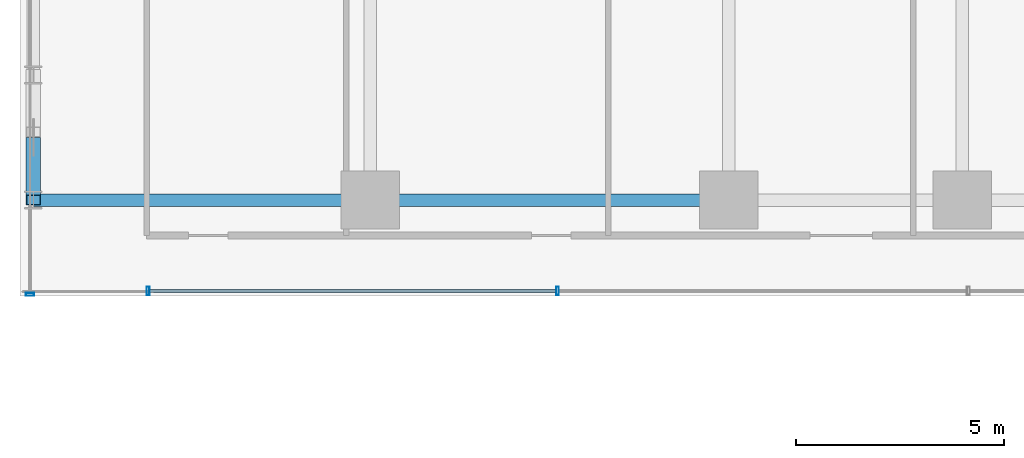
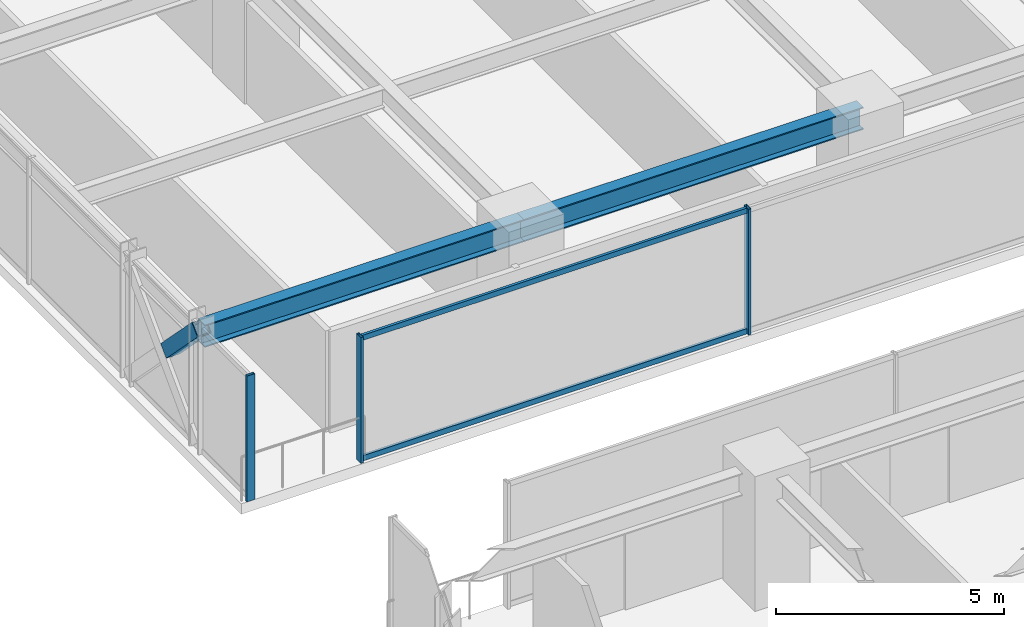
# One storey, part 10 of 41: 6 members, 2 beams, 2 elements without a shape of their own.
"""IFC4 building model written with IfcOpenShell, lengths in metres."""

from ifc_helpers import new_model, si_unit, direction, frame, origin, origin_2d, place, context, subcontext, project, spatial, hollow_rectangle, i_section, extrude, source, transform, mapped, material, material_profile, profile_set, type_object, element, aggregate, save


model = new_model("IFC4")

# Units and contexts
model_context = context("Model", 3, precision=1e-05, world=origin(), true_north=direction((0.0, 1.0)))
body_context = subcontext(model_context, "Body", "Model", "MODEL_VIEW")
ifc_project = project(units=[si_unit("LENGTHUNIT", "METRE"), si_unit("AREAUNIT", "SQUARE_METRE"), si_unit("VOLUMEUNIT", "CUBIC_METRE"), si_unit("PLANEANGLEUNIT", "RADIAN"), si_unit("MASSUNIT", "GRAM", prefix="KILO")], contexts=[model_context])

# Site, building, storey
site_placement = place(None, origin())
site = spatial("IfcSite", under=ifc_project, at=site_placement, CompositionType="ELEMENT")
building_placement = place(site_placement, origin())
building = spatial("IfcBuilding", under=site, at=building_placement, Name="Nahalor Promenade Grand Hotel", CompositionType="ELEMENT")
storey_placement = place(building_placement, frame((0.0, 0.0, 54.300048828125)))
storey = spatial("IfcBuildingStorey", under=building, at=storey_placement, Name="L12", CompositionType="ELEMENT", Elevation=54.300048828125)

# Beams
ifc_material_1 = material(Name="Steel S355JR", Category="steel")
ifc_material_profile_1 = material_profile(ifc_material_1, i_section(OverallWidth=0.3, OverallDepth=0.6, WebThickness=0.0155, FlangeThickness=0.03, at=origin_2d()), Name="HEB 600")
ifc_profile_set_1 = profile_set([ifc_material_profile_1], Name="Steel S355JR")
beam_type = type_object("IfcBeamType", Name="Beam-Girder-HEB600", PredefinedType="BEAM", material=ifc_profile_set_1)
shared_shape_1 = source(origin(), body_context, "Body", "SweptSolid", [
    extrude(i_section(OverallWidth=0.3, OverallDepth=0.6, WebThickness=0.0155, FlangeThickness=0.03, at=origin_2d()), origin(), (0.0, 0.0, 1.0), 8.60009765625),
])
beam_1_placement = place(storey_placement, frame((-17.0, 5.39990234375, 3.070068359375), z_axis=(1.0, 0.0, 0.0), x_axis=(0.0, 1.0, 0.0)))
element("IfcBeam", 1, at=beam_1_placement, inside=storey, type_object=beam_type, Name="BM-L12-GX-2-1", PredefinedType="BEAM", context=body_context, shape_type="MappedRepresentation", body=[
    mapped(shared_shape_1, transform((0.0, 0.0, 0.0), scale=1.0)),
])
shared_shape_2 = source(origin(), body_context, "Body", "SweptSolid", [
    extrude(i_section(OverallWidth=0.3, OverallDepth=0.6, WebThickness=0.0155, FlangeThickness=0.03, at=origin_2d()), origin(), (0.0, 0.0, 1.0), 8.080078125),
])
beam_2_placement = place(storey_placement, frame((-25.080078125, 5.39990234375, 3.070068359375), z_axis=(1.0, 0.0, 0.0), x_axis=(0.0, 1.0, 0.0)))
element("IfcBeam", 2, at=beam_2_placement, inside=storey, type_object=beam_type, Name="BM-L12-GX-2-0", PredefinedType="BEAM", context=body_context, shape_type="MappedRepresentation", body=[
    mapped(shared_shape_2, transform((0.0, 0.0, 0.0), scale=1.0)),
])

# Member
ifc_material_profile_2 = material_profile(ifc_material_1, hollow_rectangle(XDim=0.35, YDim=0.35, WallThickness=0.02, at=origin_2d()), Name="SHS 350x350x20")
ifc_profile_set_2 = profile_set([ifc_material_profile_2], Name="Steel S355JR")
member_type_1 = type_object("IfcMemberType", Name="Mem-VoidBrace-SHS350", PredefinedType="BRACE", material=ifc_profile_set_2)
shared_shape_3 = source(origin(), body_context, "Body", "SweptSolid", [
    extrude(hollow_rectangle(XDim=0.35, YDim=0.35, WallThickness=0.02, at=origin_2d()), origin(), (0.0, 0.0, 1.0), 1.959228515625),
])
member_1_placement = place(storey_placement, frame((-25.080078125, 6.769287109375, 1.81884765625), z_axis=(0.0, -0.698960471031, 0.715160303663), x_axis=(1.0, 0.0, 0.0)))
element("IfcMember", 3, at=member_1_placement, inside=storey, type_object=member_type_1, Name="EXO-L12-VX2-W1B", PredefinedType="BRACE", context=body_context, shape_type="MappedRepresentation", body=[
    mapped(shared_shape_3, transform((0.0, 0.0, 0.0), scale=1.0)),
])

# Curtain wall, member
ifc_material_2 = material(Name="Anodised Bronze Aluminium EN AW-6063 T6", Category="aluminium")
curtain_wall_type = type_object("IfcCurtainWallType", Name="CW3 Elliptical-Void Collar Unitised Curtain Wall", PredefinedType="USERDEFINED", material=ifc_material_2)
curtain_wall_1_placement = place(storey_placement, origin())
curtain_wall_1 = element("IfcCurtainWall", 4, at=curtain_wall_1_placement, inside=storey, type_object=curtain_wall_type, Name="L12 Curtain Wall CW-L12-W-2", ObjectType="UNITISED_CURTAIN_WALL", PredefinedType="USERDEFINED")
ifc_material_profile_3 = material_profile(ifc_material_2, hollow_rectangle(XDim=0.07, YDim=0.2, WallThickness=0.005, at=origin_2d()), Name="CWM 70x200x5")
ifc_profile_set_3 = profile_set([ifc_material_profile_3], Name="Anodised Bronze Aluminium EN AW-6063 T6")
member_type_2 = type_object("IfcMemberType", Name="CWM3 Void Collar Mullion 70x200", PredefinedType="MULLION", material=ifc_profile_set_3)
shared_shape_4 = source(origin(), body_context, "Body", "SweptSolid", [
    extrude(hollow_rectangle(XDim=0.07, YDim=0.2, WallThickness=0.005, at=origin_2d()), origin(), (0.0, 0.0, 1.0), 3.369873046875),
])
member_2_placement = place(storey_placement, frame((-25.159912109375, 3.135009765625, 0.0), z_axis=(0.0, 0.0, 1.0), x_axis=(0.0, 1.0, 0.0)))
member_2 = element("IfcMember", 5, at=member_2_placement, type_object=member_type_2, Name="CW-L12-W-2 Mullion 0", PredefinedType="MULLION", context=body_context, shape_type="MappedRepresentation", body=[
    mapped(shared_shape_4, transform((0.0, 0.0, 0.0), scale=1.0)),
])
aggregate(curtain_wall_1, [member_2])

# Curtain wall, members
curtain_wall_2_placement = place(storey_placement, origin())
curtain_wall_2 = element("IfcCurtainWall", 6, at=curtain_wall_2_placement, inside=storey, type_object=curtain_wall_type, Name="L12 Curtain Wall CW-L12-VOID-WN1", ObjectType="UNITISED_CURTAIN_WALL", PredefinedType="USERDEFINED")
member_3_placement = place(storey_placement, frame((-22.324951171875, 3.219970703125, 0.0), z_axis=(0.0, 0.0, 1.0), x_axis=(1.0, 0.0, 0.0)))
member_3 = element("IfcMember", 7, at=member_3_placement, type_object=member_type_2, Name="CW-L12-VOID-WN1 Mullion 0", PredefinedType="MULLION", context=body_context, shape_type="MappedRepresentation", body=[
    mapped(shared_shape_4, transform((0.0, 0.0, 0.0), scale=1.0)),
])
member_4_placement = place(storey_placement, frame((-12.506591796875, 3.219970703125, 0.0), z_axis=(0.0, 0.0, 1.0), x_axis=(1.0, 0.0, 0.0)))
member_4 = element("IfcMember", 8, at=member_4_placement, type_object=member_type_2, Name="CW-L12-VOID-WN1 Mullion 1", PredefinedType="MULLION", context=body_context, shape_type="MappedRepresentation", body=[
    mapped(shared_shape_4, transform((0.0, 0.0, 0.0), scale=1.0)),
])
ifc_material_profile_4 = material_profile(ifc_material_2, hollow_rectangle(XDim=0.07, YDim=0.14, WallThickness=0.004, at=origin_2d()), Name="CWT 70x140x4")
ifc_profile_set_4 = profile_set([ifc_material_profile_4], Name="Anodised Bronze Aluminium EN AW-6063 T6")
member_type_3 = type_object("IfcMemberType", Name="CWT3 Void Collar Transom 70x140", PredefinedType="USERDEFINED", material=ifc_profile_set_4)
shared_shape_5 = source(origin(), body_context, "Body", "SweptSolid", [
    extrude(hollow_rectangle(XDim=0.07, YDim=0.14, WallThickness=0.004, at=origin_2d()), origin(), (0.0, 0.0, 1.0), 9.748291015625),
])
member_5_placement = place(storey_placement, frame((-22.2900390625, 3.219970703125, 0.070068359375), z_axis=(1.0, 0.0, 0.0), x_axis=(0.0, 1.0, 0.0)))
member_5 = element("IfcMember", 9, at=member_5_placement, type_object=member_type_3, Name="CW-L12-VOID-WN1 Transom 0-0", ObjectType="TRANSOM", PredefinedType="USERDEFINED", context=body_context, shape_type="MappedRepresentation", body=[
    mapped(shared_shape_5, transform((0.0, 0.0, 0.0), scale=1.0)),
])
member_6_placement = place(storey_placement, frame((-22.2900390625, 3.219970703125, 3.300048828125), z_axis=(1.0, 0.0, 0.0), x_axis=(0.0, 1.0, 0.0)))
member_6 = element("IfcMember", 10, at=member_6_placement, type_object=member_type_3, Name="CW-L12-VOID-WN1 Transom 0-1", ObjectType="TRANSOM", PredefinedType="USERDEFINED", context=body_context, shape_type="MappedRepresentation", body=[
    mapped(shared_shape_5, transform((0.0, 0.0, 0.0), scale=1.0)),
])
aggregate(curtain_wall_2, [member_3, member_4, member_5, member_6])

save(model, "model.ifc")
